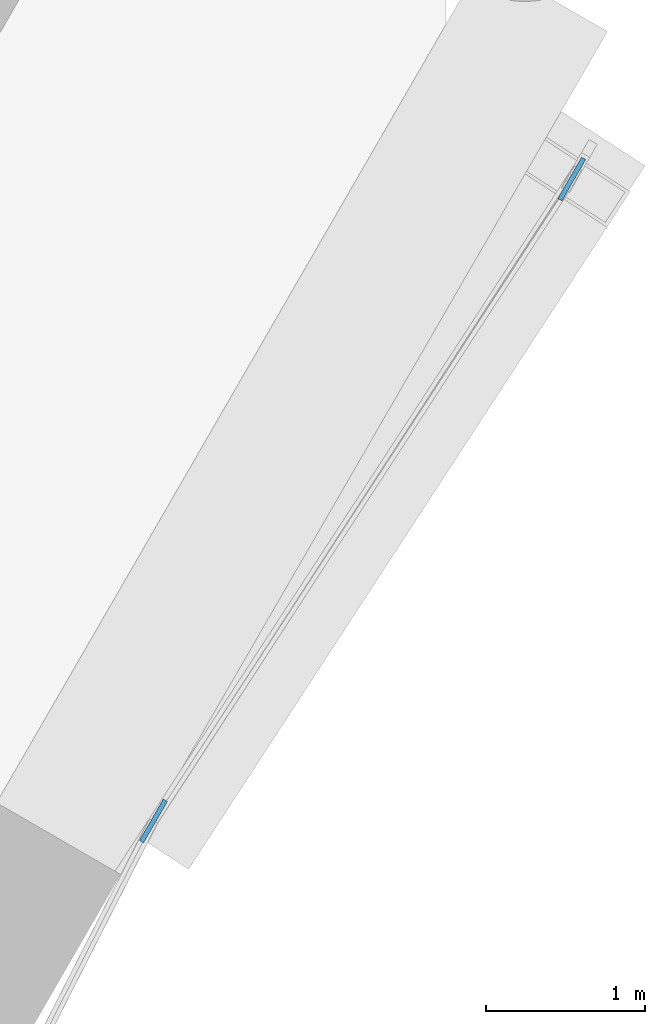
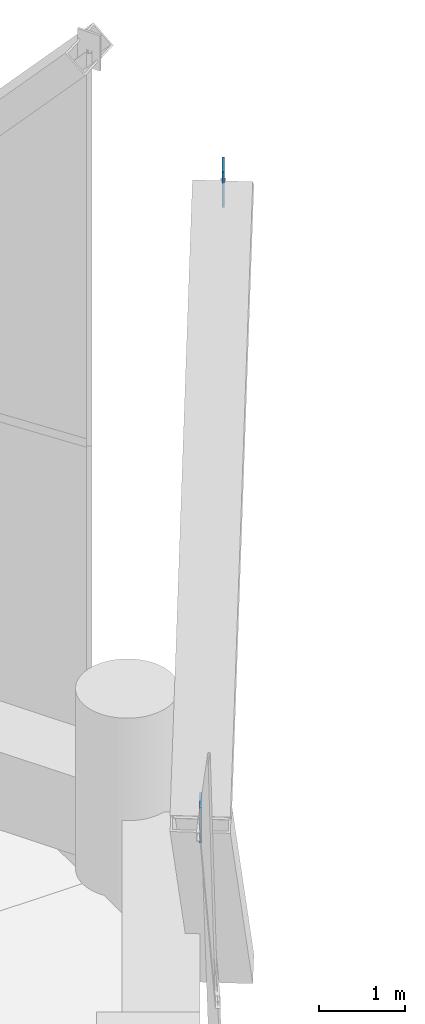
# One storey, part 35 of 38: 2 discrete accessories.
"""IFC4 building model written with IfcOpenShell, lengths in metres."""

from ifc_helpers import new_model, si_unit, direction, frame, origin, origin_2d, place, context, subcontext, project, spatial, rectangle, extrude, material, layer, layer_set, type_object, element, save


model = new_model("IFC4")

# Units and contexts
model_context = context("Model", 3, precision=1e-05, world=origin(), true_north=direction((0.0, 1.0)))
body_context = subcontext(model_context, "Body", "Model", "MODEL_VIEW")
ifc_project = project(units=[si_unit("LENGTHUNIT", "METRE"), si_unit("AREAUNIT", "SQUARE_METRE"), si_unit("VOLUMEUNIT", "CUBIC_METRE"), si_unit("PLANEANGLEUNIT", "RADIAN"), si_unit("MASSUNIT", "GRAM", prefix="KILO")], contexts=[model_context])

# Site, building, storey
site_placement = place(None, origin())
site = spatial("IfcSite", under=ifc_project, at=site_placement, CompositionType="ELEMENT")
building_placement = place(site_placement, origin())
building = spatial("IfcBuilding", under=site, at=building_placement, Name="Ostrander Bayou Hotel Tower", CompositionType="ELEMENT")
storey_placement = place(building_placement, frame((0.0, 0.0, 96.75)))
storey = spatial("IfcBuildingStorey", under=building, at=storey_placement, Name="L24", CompositionType="ELEMENT", Elevation=96.75)

# Discrete accessories
ifc_material = material(Name="Steel ASTM A572 Gr 50", Category="steel")
ifc_layer = layer(ifc_material, 0.030029296875)
ifc_layer_set = layer_set([ifc_layer], Name="GP1 gusset plate 30 mm")
discrete_accessory_type = type_object("IfcDiscreteAccessoryType", Name="GP1 gusset plate 30 mm", PredefinedType="BRACKET", material=ifc_layer_set)
for number, where, z_axis, x_axis, name in (
    (1, (20.039794921875, -5.911376953125, 4.77490234375), (0.0, 0.0, 1.0), (0.5, 0.866025403784, 0.0), "GP1 gusset plate lat 148"),
    (2, (22.66748046875, -1.87890625, 10.39990234375), (0.0, 0.0, 1.0), (0.5, 0.866025403784, 0.0), "GP1 gusset plate lat 149"),
):
    element("IfcDiscreteAccessory", number, at=place(storey_placement, frame(where, z_axis=z_axis, x_axis=x_axis)), inside=storey, type_object=discrete_accessory_type, Name=name, PredefinedType="BRACKET", context=body_context, shape_type="SweptSolid", body=[
        extrude(rectangle(XDim=0.300048828125, YDim=0.030029296875, at=origin_2d()), origin(), (0.0, 0.0, 1.0), 0.5),
    ])

save(model, "model.ifc")
